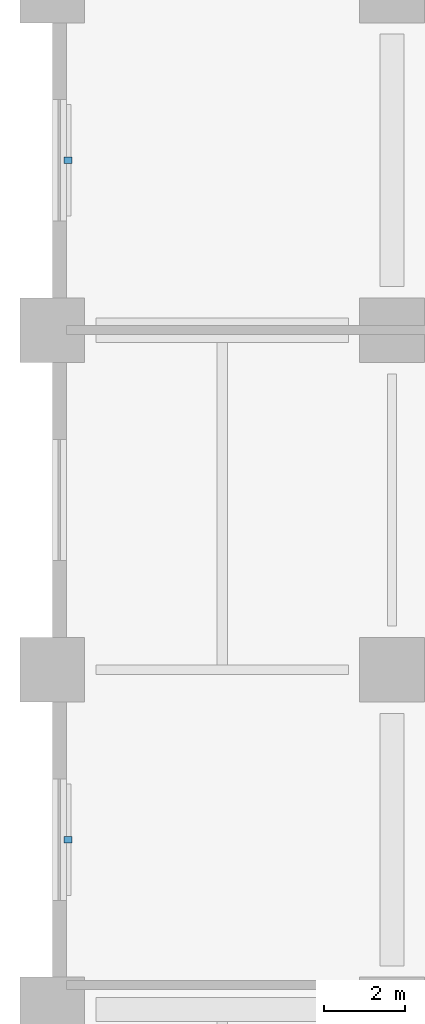
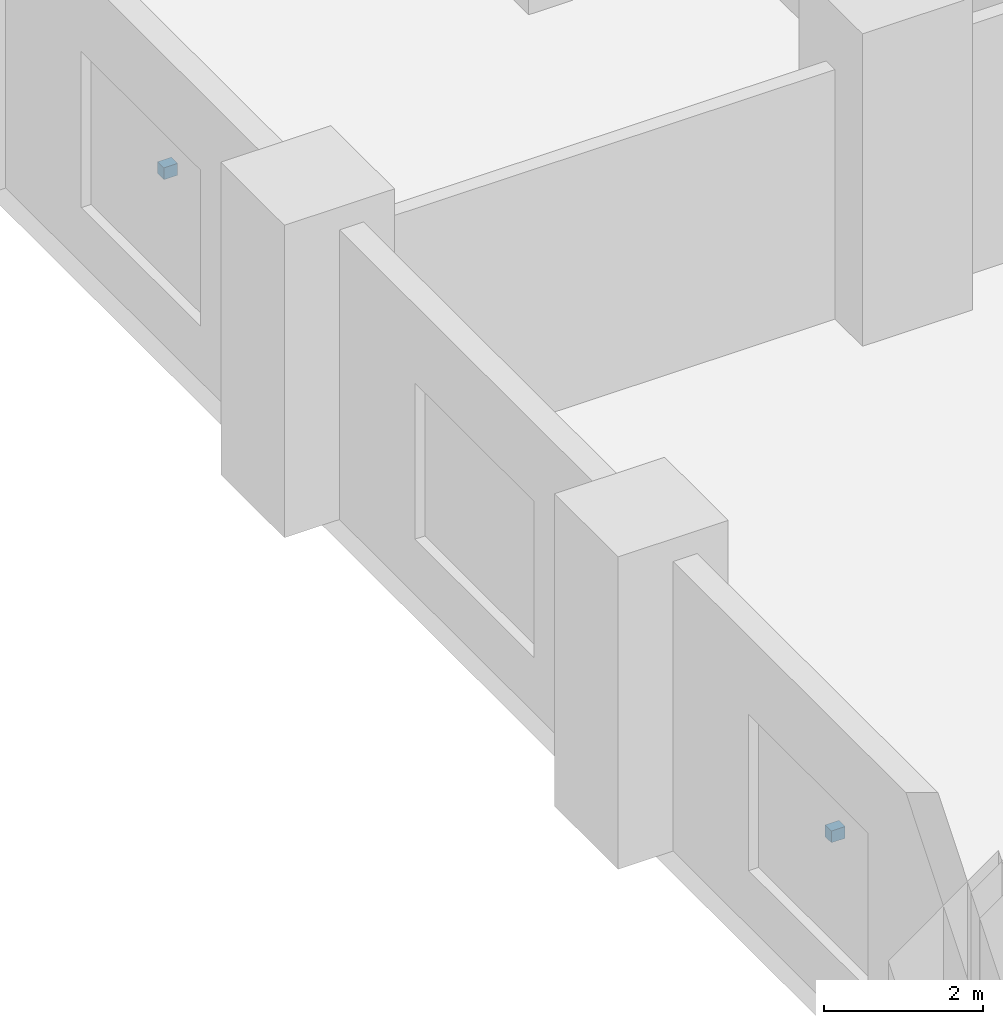
# One storey, part 16 of 22: 2 discrete accessories.
"""IFC4 building model written with IfcOpenShell, lengths in metres."""

from ifc_helpers import new_model, si_unit, direction, frame, origin, origin_2d, place, context, subcontext, project, spatial, rectangle, extrude, material, type_object, element, save


model = new_model("IFC4")

# Units and contexts
model_context = context("Model", 3, precision=1e-05, world=origin(), true_north=direction((0.0, 1.0)))
body_context = subcontext(model_context, "Body", "Model", "MODEL_VIEW")
ifc_project = project(units=[si_unit("LENGTHUNIT", "METRE"), si_unit("AREAUNIT", "SQUARE_METRE"), si_unit("VOLUMEUNIT", "CUBIC_METRE"), si_unit("PLANEANGLEUNIT", "RADIAN"), si_unit("MASSUNIT", "GRAM", prefix="KILO")], contexts=[model_context])

# Site, building, storey
site_placement = place(None, origin())
site = spatial("IfcSite", under=ifc_project, at=site_placement, CompositionType="ELEMENT")
building_placement = place(site_placement, origin())
building = spatial("IfcBuilding", under=site, at=building_placement, Name="Koriwani Terraces Tower", CompositionType="ELEMENT")
storey_placement = place(building_placement, frame((0.0, 0.0, 6.0)))
storey = spatial("IfcBuildingStorey", under=building, at=storey_placement, Name="L01", CompositionType="ELEMENT", Elevation=6.0)

# Discrete accessories
ifc_material = material(Name="Steel ASTM A572 Grade 50", Category="steel")
discrete_accessory_type = type_object("IfcDiscreteAccessoryType", Name="BAGUETTE_STANDOFF_BRACKET", PredefinedType="BRACKET", material=ifc_material)
for number, where, z_axis, x_axis, name in (
    (1, (0.389892578125, 37.800048828125, 2.13525390625), (0.0, 0.0, 1.0), (0.0, 1.0, 0.0), "L01 Terracotta Baguette Bracket (W-12)"),
    (2, (0.389892578125, 54.60009765625, 2.13525390625), (0.0, 0.0, 1.0), (0.0, 1.0, 0.0), "L01 Terracotta Baguette Bracket (W-18)"),
):
    element("IfcDiscreteAccessory", number, at=place(storey_placement, frame(where, z_axis=z_axis, x_axis=x_axis)), inside=storey, type_object=discrete_accessory_type, Name=name, PredefinedType="BRACKET", context=body_context, shape_type="SweptSolid", body=[
        extrude(rectangle(XDim=0.159912109375, YDim=0.199951171875, at=origin_2d()), origin(), (0.0, 0.0, 1.0), 0.179931640625),
    ])

save(model, "model.ifc")
